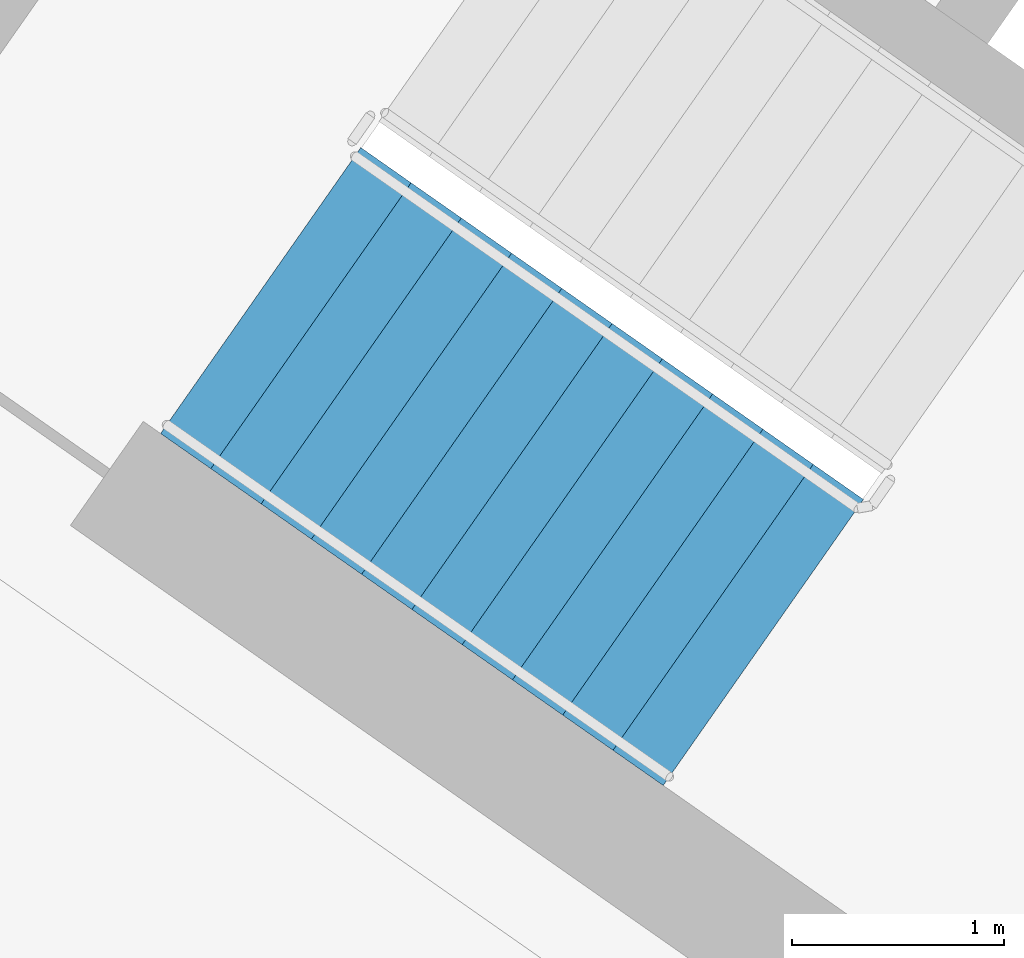
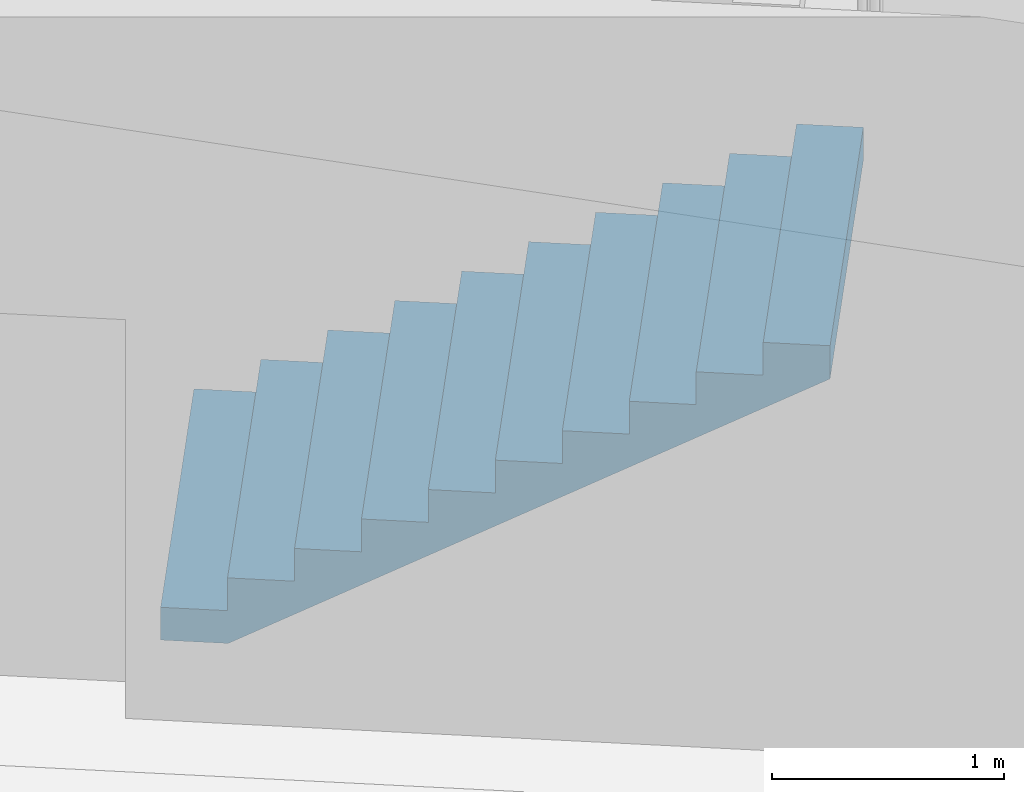
# One storey, part 11 of 27: 1 stair flight, 1 element without a shape of its own.
"""IFC4 building model written with IfcOpenShell, lengths in metres."""

from ifc_helpers import new_model, si_unit, direction, frame, origin, place, context, subcontext, project, spatial, faceted_brep, material, type_object, element, aggregate, save


model = new_model("IFC4")

# Units and contexts
model_context = context("Model", 3, precision=1e-05, world=origin(), true_north=direction((0.0, 1.0)))
body_context = subcontext(model_context, "Body", "Model", "MODEL_VIEW")
ifc_project = project(units=[si_unit("LENGTHUNIT", "METRE"), si_unit("AREAUNIT", "SQUARE_METRE"), si_unit("VOLUMEUNIT", "CUBIC_METRE"), si_unit("PLANEANGLEUNIT", "RADIAN"), si_unit("MASSUNIT", "GRAM", prefix="KILO")], contexts=[model_context])

# Site, building, storey
site_placement = place(None, origin())
site = spatial("IfcSite", under=ifc_project, at=site_placement, CompositionType="ELEMENT")
building_placement = place(site_placement, origin())
building = spatial("IfcBuilding", under=site, at=building_placement, Name="Qamariyya Broadcast Tower", CompositionType="ELEMENT")
storey_placement = place(building_placement, frame((0.0, 0.0, 187.300048828125)))
storey = spatial("IfcBuildingStorey", under=building, at=storey_placement, Name="L44", CompositionType="ELEMENT", Elevation=187.300048828125)

# Stair, stair flight
ifc_material = material(Name="Concrete C50/60", Category="concrete")
stair_type = type_object("IfcStairType", Name="Exit stair 22 risers of 173 mm", PredefinedType="HALF_TURN_STAIR", material=ifc_material)
stair_placement = place(storey_placement, origin())
stair = element("IfcStair", 1, at=stair_placement, inside=storey, type_object=stair_type, Name="L44 Stair W1", PredefinedType="HALF_TURN_STAIR")
stair_flight_type = type_object("IfcStairFlightType", Name="Exit stair flight 11 risers of 173 mm", PredefinedType="STRAIGHT", material=ifc_material)
stair_flight_placement = place(storey_placement, frame((-47.06884765625, -56.982666015625, 0.0), z_axis=(0.0, 0.0, 1.0), x_axis=(0.819152044289, -0.573576436351, 0.0)))
stair_flight = element("IfcStairFlight", 2, at=stair_flight_placement, type_object=stair_flight_type, Name="ST-W1 flight 1", NumberOfRisers=11, NumberOfTreads=10, PredefinedType="STRAIGHT", RiserHeight=0.172727273, TreadLength=0.29, context=body_context, shape_type="Brep", body=[
    faceted_brep([(0.0, 0.824951171875, 0.0), (0.0, 0.824951171875, 0.172607421875), (0.2900390625, 0.824951171875, 0.172607421875), (0.2900390625, 0.824951171875, 0.345458984375), (0.580078125, 0.824951171875, 0.345458984375), (0.580078125, 0.824951171875, 0.51806640625), (0.8701171875, 0.824951171875, 0.51806640625), (0.8701171875, 0.824951171875, 0.69091796875), (1.159912109375, 0.824951171875, 0.69091796875), (1.159912109375, 0.824951171875, 0.863525390625), (1.449951171875, 0.824951171875, 0.863525390625), (1.449951171875, 0.824951171875, 1.036376953125), (1.739990234375, 0.824951171875, 1.036376953125), (1.739990234375, 0.824951171875, 1.208984375), (2.030029296875, 0.824951171875, 1.208984375), (2.030029296875, 0.824951171875, 1.3818359375), (2.320068359375, 0.824951171875, 1.3818359375), (2.320068359375, 0.824951171875, 1.554443359375), (2.610107421875, 0.824951171875, 1.554443359375), (2.610107421875, 0.824951171875, 1.727294921875), (2.89990234375, 0.824951171875, 1.727294921875), (2.89990234375, 0.824951171875, 1.552734375), (0.29296875, 0.824951171875, 0.0), (0.29296875, -0.824951171875, 0.0), (2.89990234375, -0.824951171875, 1.552734375), (2.89990234375, -0.824951171875, 1.727294921875), (2.610107421875, -0.824951171875, 1.727294921875), (2.610107421875, -0.824951171875, 1.554443359375), (2.320068359375, -0.824951171875, 1.554443359375), (2.320068359375, -0.824951171875, 1.3818359375), (2.030029296875, -0.824951171875, 1.3818359375), (2.030029296875, -0.824951171875, 1.208984375), (1.739990234375, -0.824951171875, 1.208984375), (1.739990234375, -0.824951171875, 1.036376953125), (1.449951171875, -0.824951171875, 1.036376953125), (1.449951171875, -0.824951171875, 0.863525390625), (1.159912109375, -0.824951171875, 0.863525390625), (1.159912109375, -0.824951171875, 0.69091796875), (0.8701171875, -0.824951171875, 0.69091796875), (0.8701171875, -0.824951171875, 0.51806640625), (0.580078125, -0.824951171875, 0.51806640625), (0.580078125, -0.824951171875, 0.345458984375), (0.2900390625, -0.824951171875, 0.345458984375), (0.2900390625, -0.824951171875, 0.172607421875), (0.0, -0.824951171875, 0.172607421875), (0.0, -0.824951171875, 0.0), (0.0, 0.10009765625, 0.0), (0.0, 0.086669921875, 0.0), (0.0, 0.0732421875, 0.0), (0.0, 0.06005859375, 0.0), (0.0, 0.046630859375, 0.0), (0.0, 0.033447265625, 0.0), (0.0, 0.02001953125, 0.0), (0.0, 0.006591796875, 0.0), (0.0, -0.006591796875, 0.0), (0.0, -0.02001953125, 0.0), (0.0, -0.033447265625, 0.0), (0.0, -0.046630859375, 0.0), (0.0, -0.06005859375, 0.0), (0.0, -0.0732421875, 0.0), (0.0, -0.086669921875, 0.0), (0.0, -0.10009765625, 0.0), (0.0, -0.10009765625, 0.172607421875), (0.0, -0.086669921875, 0.172607421875), (0.0, -0.0732421875, 0.172607421875), (0.0, -0.06005859375, 0.172607421875), (0.0, -0.046630859375, 0.172607421875), (0.0, -0.033447265625, 0.172607421875), (0.0, -0.02001953125, 0.172607421875), (0.0, -0.006591796875, 0.172607421875), (0.0, 0.006591796875, 0.172607421875), (0.0, 0.02001953125, 0.172607421875), (0.0, 0.033447265625, 0.172607421875), (0.0, 0.046630859375, 0.172607421875), (0.0, 0.06005859375, 0.172607421875), (0.0, 0.0732421875, 0.172607421875), (0.0, 0.086669921875, 0.172607421875), (0.0, 0.10009765625, 0.172607421875), (0.2900390625, -0.10009765625, 0.172607421875), (0.2900390625, -0.086669921875, 0.172607421875), (0.2900390625, -0.0732421875, 0.172607421875), (0.2900390625, -0.06005859375, 0.172607421875), (0.2900390625, -0.046630859375, 0.172607421875), (0.2900390625, -0.033447265625, 0.172607421875), (0.2900390625, -0.02001953125, 0.172607421875), (0.2900390625, -0.006591796875, 0.172607421875), (0.2900390625, 0.006591796875, 0.172607421875), (0.2900390625, 0.02001953125, 0.172607421875), (0.2900390625, 0.033447265625, 0.172607421875), (0.2900390625, 0.046630859375, 0.172607421875), (0.2900390625, 0.06005859375, 0.172607421875), (0.2900390625, 0.0732421875, 0.172607421875), (0.2900390625, 0.086669921875, 0.172607421875), (0.2900390625, 0.10009765625, 0.172607421875), (0.2900390625, -0.10009765625, 0.345458984375), (0.2900390625, -0.086669921875, 0.345458984375), (0.2900390625, -0.0732421875, 0.345458984375), (0.2900390625, -0.06005859375, 0.345458984375), (0.2900390625, -0.046630859375, 0.345458984375), (0.2900390625, -0.033447265625, 0.345458984375), (0.2900390625, -0.02001953125, 0.345458984375), (0.2900390625, -0.006591796875, 0.345458984375), (0.2900390625, 0.006591796875, 0.345458984375), (0.2900390625, 0.02001953125, 0.345458984375), (0.2900390625, 0.033447265625, 0.345458984375), (0.2900390625, 0.046630859375, 0.345458984375), (0.2900390625, 0.06005859375, 0.345458984375), (0.2900390625, 0.0732421875, 0.345458984375), (0.2900390625, 0.086669921875, 0.345458984375), (0.2900390625, 0.10009765625, 0.345458984375), (0.580078125, -0.10009765625, 0.345458984375), (0.580078125, -0.086669921875, 0.345458984375), (0.580078125, -0.0732421875, 0.345458984375), (0.580078125, -0.06005859375, 0.345458984375), (0.580078125, -0.046630859375, 0.345458984375), (0.580078125, -0.033447265625, 0.345458984375), (0.580078125, -0.02001953125, 0.345458984375), (0.580078125, -0.006591796875, 0.345458984375), (0.580078125, 0.006591796875, 0.345458984375), (0.580078125, 0.02001953125, 0.345458984375), (0.580078125, 0.033447265625, 0.345458984375), (0.580078125, 0.046630859375, 0.345458984375), (0.580078125, 0.06005859375, 0.345458984375), (0.580078125, 0.0732421875, 0.345458984375), (0.580078125, 0.086669921875, 0.345458984375), (0.580078125, 0.10009765625, 0.345458984375), (0.580078125, -0.10009765625, 0.51806640625), (0.580078125, -0.086669921875, 0.51806640625), (0.580078125, -0.0732421875, 0.51806640625), (0.580078125, -0.06005859375, 0.51806640625), (0.580078125, -0.046630859375, 0.51806640625), (0.580078125, -0.033447265625, 0.51806640625), (0.580078125, -0.02001953125, 0.51806640625), (0.580078125, -0.006591796875, 0.51806640625), (0.580078125, 0.006591796875, 0.51806640625), (0.580078125, 0.02001953125, 0.51806640625), (0.580078125, 0.033447265625, 0.51806640625), (0.580078125, 0.046630859375, 0.51806640625), (0.580078125, 0.06005859375, 0.51806640625), (0.580078125, 0.0732421875, 0.51806640625), (0.580078125, 0.086669921875, 0.51806640625), (0.580078125, 0.10009765625, 0.51806640625), (0.8701171875, -0.10009765625, 0.51806640625), (0.8701171875, -0.086669921875, 0.51806640625), (0.8701171875, -0.0732421875, 0.51806640625), (0.8701171875, -0.06005859375, 0.51806640625), (0.8701171875, -0.046630859375, 0.51806640625), (0.8701171875, -0.033447265625, 0.51806640625), (0.8701171875, -0.02001953125, 0.51806640625), (0.8701171875, -0.006591796875, 0.51806640625), (0.8701171875, 0.006591796875, 0.51806640625), (0.8701171875, 0.02001953125, 0.51806640625), (0.8701171875, 0.033447265625, 0.51806640625), (0.8701171875, 0.046630859375, 0.51806640625), (0.8701171875, 0.06005859375, 0.51806640625), (0.8701171875, 0.0732421875, 0.51806640625), (0.8701171875, 0.086669921875, 0.51806640625), (0.8701171875, 0.10009765625, 0.51806640625), (0.8701171875, -0.10009765625, 0.69091796875), (0.8701171875, -0.086669921875, 0.69091796875), (0.8701171875, -0.0732421875, 0.69091796875), (0.8701171875, -0.06005859375, 0.69091796875), (0.8701171875, -0.046630859375, 0.69091796875), (0.8701171875, -0.033447265625, 0.69091796875), (0.8701171875, -0.02001953125, 0.69091796875), (0.8701171875, -0.006591796875, 0.69091796875), (0.8701171875, 0.006591796875, 0.69091796875), (0.8701171875, 0.02001953125, 0.69091796875), (0.8701171875, 0.033447265625, 0.69091796875), (0.8701171875, 0.046630859375, 0.69091796875), (0.8701171875, 0.06005859375, 0.69091796875), (0.8701171875, 0.0732421875, 0.69091796875), (0.8701171875, 0.086669921875, 0.69091796875), (0.8701171875, 0.10009765625, 0.69091796875), (1.159912109375, -0.10009765625, 0.69091796875), (1.159912109375, -0.086669921875, 0.69091796875), (1.159912109375, -0.0732421875, 0.69091796875), (1.159912109375, -0.06005859375, 0.69091796875), (1.159912109375, -0.046630859375, 0.69091796875), (1.159912109375, -0.033447265625, 0.69091796875), (1.159912109375, -0.02001953125, 0.69091796875), (1.159912109375, -0.006591796875, 0.69091796875), (1.159912109375, 0.006591796875, 0.69091796875), (1.159912109375, 0.02001953125, 0.69091796875), (1.159912109375, 0.033447265625, 0.69091796875), (1.159912109375, 0.046630859375, 0.69091796875), (1.159912109375, 0.06005859375, 0.69091796875), (1.159912109375, 0.0732421875, 0.69091796875), (1.159912109375, 0.086669921875, 0.69091796875), (1.159912109375, 0.10009765625, 0.69091796875), (1.159912109375, -0.10009765625, 0.863525390625), (1.159912109375, -0.086669921875, 0.863525390625), (1.159912109375, -0.0732421875, 0.863525390625), (1.159912109375, -0.06005859375, 0.863525390625), (1.159912109375, -0.046630859375, 0.863525390625), (1.159912109375, -0.033447265625, 0.863525390625), (1.159912109375, -0.02001953125, 0.863525390625), (1.159912109375, -0.006591796875, 0.863525390625), (1.159912109375, 0.006591796875, 0.863525390625), (1.159912109375, 0.02001953125, 0.863525390625), (1.159912109375, 0.033447265625, 0.863525390625), (1.159912109375, 0.046630859375, 0.863525390625), (1.159912109375, 0.06005859375, 0.863525390625), (1.159912109375, 0.0732421875, 0.863525390625), (1.159912109375, 0.086669921875, 0.863525390625), (1.159912109375, 0.10009765625, 0.863525390625), (1.449951171875, -0.10009765625, 0.863525390625), (1.449951171875, -0.086669921875, 0.863525390625), (1.449951171875, -0.0732421875, 0.863525390625), (1.449951171875, -0.06005859375, 0.863525390625), (1.449951171875, -0.046630859375, 0.863525390625), (1.449951171875, -0.033447265625, 0.863525390625), (1.449951171875, -0.02001953125, 0.863525390625), (1.449951171875, -0.006591796875, 0.863525390625), (1.449951171875, 0.006591796875, 0.863525390625), (1.449951171875, 0.02001953125, 0.863525390625), (1.449951171875, 0.033447265625, 0.863525390625), (1.449951171875, 0.046630859375, 0.863525390625), (1.449951171875, 0.06005859375, 0.863525390625), (1.449951171875, 0.0732421875, 0.863525390625), (1.449951171875, 0.086669921875, 0.863525390625), (1.449951171875, 0.10009765625, 0.863525390625), (1.449951171875, -0.10009765625, 1.036376953125), (1.449951171875, -0.086669921875, 1.036376953125), (1.449951171875, -0.0732421875, 1.036376953125), (1.449951171875, -0.06005859375, 1.036376953125), (1.449951171875, -0.046630859375, 1.036376953125), (1.449951171875, -0.033447265625, 1.036376953125), (1.449951171875, -0.02001953125, 1.036376953125), (1.449951171875, -0.006591796875, 1.036376953125), (1.449951171875, 0.006591796875, 1.036376953125), (1.449951171875, 0.02001953125, 1.036376953125), (1.449951171875, 0.033447265625, 1.036376953125), (1.449951171875, 0.046630859375, 1.036376953125), (1.449951171875, 0.06005859375, 1.036376953125), (1.449951171875, 0.0732421875, 1.036376953125), (1.449951171875, 0.086669921875, 1.036376953125), (1.449951171875, 0.10009765625, 1.036376953125), (1.739990234375, -0.10009765625, 1.036376953125), (1.739990234375, -0.086669921875, 1.036376953125), (1.739990234375, -0.0732421875, 1.036376953125), (1.739990234375, -0.06005859375, 1.036376953125), (1.739990234375, -0.046630859375, 1.036376953125), (1.739990234375, -0.033447265625, 1.036376953125), (1.739990234375, -0.02001953125, 1.036376953125), (1.739990234375, -0.006591796875, 1.036376953125), (1.739990234375, 0.006591796875, 1.036376953125), (1.739990234375, 0.02001953125, 1.036376953125), (1.739990234375, 0.033447265625, 1.036376953125), (1.739990234375, 0.046630859375, 1.036376953125), (1.739990234375, 0.06005859375, 1.036376953125), (1.739990234375, 0.0732421875, 1.036376953125), (1.739990234375, 0.086669921875, 1.036376953125), (1.739990234375, 0.10009765625, 1.036376953125), (1.739990234375, -0.10009765625, 1.208984375), (1.739990234375, -0.086669921875, 1.208984375), (1.739990234375, -0.0732421875, 1.208984375), (1.739990234375, -0.06005859375, 1.208984375), (1.739990234375, -0.046630859375, 1.208984375), (1.739990234375, -0.033447265625, 1.208984375), (1.739990234375, -0.02001953125, 1.208984375), (1.739990234375, -0.006591796875, 1.208984375), (1.739990234375, 0.006591796875, 1.208984375), (1.739990234375, 0.02001953125, 1.208984375), (1.739990234375, 0.033447265625, 1.208984375), (1.739990234375, 0.046630859375, 1.208984375), (1.739990234375, 0.06005859375, 1.208984375), (1.739990234375, 0.0732421875, 1.208984375), (1.739990234375, 0.086669921875, 1.208984375), (1.739990234375, 0.10009765625, 1.208984375), (2.030029296875, -0.10009765625, 1.208984375), (2.030029296875, -0.086669921875, 1.208984375), (2.030029296875, -0.0732421875, 1.208984375), (2.030029296875, -0.06005859375, 1.208984375), (2.030029296875, -0.046630859375, 1.208984375), (2.030029296875, -0.033447265625, 1.208984375), (2.030029296875, -0.02001953125, 1.208984375), (2.030029296875, -0.006591796875, 1.208984375), (2.030029296875, 0.006591796875, 1.208984375), (2.030029296875, 0.02001953125, 1.208984375), (2.030029296875, 0.033447265625, 1.208984375), (2.030029296875, 0.046630859375, 1.208984375), (2.030029296875, 0.06005859375, 1.208984375), (2.030029296875, 0.0732421875, 1.208984375), (2.030029296875, 0.086669921875, 1.208984375), (2.030029296875, 0.10009765625, 1.208984375), (2.030029296875, -0.10009765625, 1.3818359375), (2.030029296875, -0.086669921875, 1.3818359375), (2.030029296875, -0.0732421875, 1.3818359375), (2.030029296875, -0.06005859375, 1.3818359375), (2.030029296875, -0.046630859375, 1.3818359375), (2.030029296875, -0.033447265625, 1.3818359375), (2.030029296875, -0.02001953125, 1.3818359375), (2.030029296875, -0.006591796875, 1.3818359375), (2.030029296875, 0.006591796875, 1.3818359375), (2.030029296875, 0.02001953125, 1.3818359375), (2.030029296875, 0.033447265625, 1.3818359375), (2.030029296875, 0.046630859375, 1.3818359375), (2.030029296875, 0.06005859375, 1.3818359375), (2.030029296875, 0.0732421875, 1.3818359375), (2.030029296875, 0.086669921875, 1.3818359375), (2.030029296875, 0.10009765625, 1.3818359375), (2.320068359375, -0.10009765625, 1.3818359375), (2.320068359375, -0.086669921875, 1.3818359375), (2.320068359375, -0.0732421875, 1.3818359375), (2.320068359375, -0.06005859375, 1.3818359375), (2.320068359375, -0.046630859375, 1.3818359375), (2.320068359375, -0.033447265625, 1.3818359375), (2.320068359375, -0.02001953125, 1.3818359375), (2.320068359375, -0.006591796875, 1.3818359375), (2.320068359375, 0.006591796875, 1.3818359375), (2.320068359375, 0.02001953125, 1.3818359375), (2.320068359375, 0.033447265625, 1.3818359375), (2.320068359375, 0.046630859375, 1.3818359375), (2.320068359375, 0.06005859375, 1.3818359375), (2.320068359375, 0.0732421875, 1.3818359375), (2.320068359375, 0.086669921875, 1.3818359375), (2.320068359375, 0.10009765625, 1.3818359375), (2.320068359375, -0.10009765625, 1.554443359375), (2.320068359375, -0.086669921875, 1.554443359375), (2.320068359375, -0.0732421875, 1.554443359375), (2.320068359375, -0.06005859375, 1.554443359375), (2.320068359375, -0.046630859375, 1.554443359375), (2.320068359375, -0.033447265625, 1.554443359375), (2.320068359375, -0.02001953125, 1.554443359375), (2.320068359375, -0.006591796875, 1.554443359375), (2.320068359375, 0.006591796875, 1.554443359375), (2.320068359375, 0.02001953125, 1.554443359375), (2.320068359375, 0.033447265625, 1.554443359375), (2.320068359375, 0.046630859375, 1.554443359375), (2.320068359375, 0.06005859375, 1.554443359375), (2.320068359375, 0.0732421875, 1.554443359375), (2.320068359375, 0.086669921875, 1.554443359375), (2.320068359375, 0.10009765625, 1.554443359375), (2.610107421875, -0.10009765625, 1.554443359375), (2.610107421875, -0.086669921875, 1.554443359375), (2.610107421875, -0.0732421875, 1.554443359375), (2.610107421875, -0.06005859375, 1.554443359375), (2.610107421875, -0.046630859375, 1.554443359375), (2.610107421875, -0.033447265625, 1.554443359375), (2.610107421875, -0.02001953125, 1.554443359375), (2.610107421875, -0.006591796875, 1.554443359375), (2.610107421875, 0.006591796875, 1.554443359375), (2.610107421875, 0.02001953125, 1.554443359375), (2.610107421875, 0.033447265625, 1.554443359375), (2.610107421875, 0.046630859375, 1.554443359375), (2.610107421875, 0.06005859375, 1.554443359375), (2.610107421875, 0.0732421875, 1.554443359375), (2.610107421875, 0.086669921875, 1.554443359375), (2.610107421875, 0.10009765625, 1.554443359375), (2.610107421875, -0.10009765625, 1.727294921875), (2.610107421875, -0.086669921875, 1.727294921875), (2.610107421875, -0.0732421875, 1.727294921875), (2.610107421875, -0.06005859375, 1.727294921875), (2.610107421875, -0.046630859375, 1.727294921875), (2.610107421875, -0.033447265625, 1.727294921875), (2.610107421875, -0.02001953125, 1.727294921875), (2.610107421875, -0.006591796875, 1.727294921875), (2.610107421875, 0.006591796875, 1.727294921875), (2.610107421875, 0.02001953125, 1.727294921875), (2.610107421875, 0.033447265625, 1.727294921875), (2.610107421875, 0.046630859375, 1.727294921875), (2.610107421875, 0.06005859375, 1.727294921875), (2.610107421875, 0.0732421875, 1.727294921875), (2.610107421875, 0.086669921875, 1.727294921875), (2.610107421875, 0.10009765625, 1.727294921875), (2.89990234375, -0.10009765625, 1.727294921875), (2.89990234375, -0.086669921875, 1.727294921875), (2.89990234375, -0.0732421875, 1.727294921875), (2.89990234375, -0.06005859375, 1.727294921875), (2.89990234375, -0.046630859375, 1.727294921875), (2.89990234375, -0.033447265625, 1.727294921875), (2.89990234375, -0.02001953125, 1.727294921875), (2.89990234375, -0.006591796875, 1.727294921875), (2.89990234375, 0.006591796875, 1.727294921875), (2.89990234375, 0.02001953125, 1.727294921875), (2.89990234375, 0.033447265625, 1.727294921875), (2.89990234375, 0.046630859375, 1.727294921875), (2.89990234375, 0.06005859375, 1.727294921875), (2.89990234375, 0.0732421875, 1.727294921875), (2.89990234375, 0.086669921875, 1.727294921875), (2.89990234375, 0.10009765625, 1.727294921875), (2.89990234375, -0.10009765625, 1.552734375), (2.89990234375, -0.086669921875, 1.552734375), (2.89990234375, -0.0732421875, 1.552734375), (2.89990234375, -0.06005859375, 1.552734375), (2.89990234375, -0.046630859375, 1.552734375), (2.89990234375, -0.033447265625, 1.552734375), (2.89990234375, -0.02001953125, 1.552734375), (2.89990234375, -0.006591796875, 1.552734375), (2.89990234375, 0.006591796875, 1.552734375), (2.89990234375, 0.02001953125, 1.552734375), (2.89990234375, 0.033447265625, 1.552734375), (2.89990234375, 0.046630859375, 1.552734375), (2.89990234375, 0.06005859375, 1.552734375), (2.89990234375, 0.0732421875, 1.552734375), (2.89990234375, 0.086669921875, 1.552734375), (2.89990234375, 0.10009765625, 1.552734375), (0.29296875, -0.10009765625, 0.0), (0.29296875, -0.086669921875, 0.0), (0.29296875, -0.0732421875, 0.0), (0.29296875, -0.06005859375, 0.0), (0.29296875, -0.046630859375, 0.0), (0.29296875, -0.033447265625, 0.0), (0.29296875, -0.02001953125, 0.0), (0.29296875, -0.006591796875, 0.0), (0.29296875, 0.006591796875, 0.0), (0.29296875, 0.02001953125, 0.0), (0.29296875, 0.033447265625, 0.0), (0.29296875, 0.046630859375, 0.0), (0.29296875, 0.06005859375, 0.0), (0.29296875, 0.0732421875, 0.0), (0.29296875, 0.086669921875, 0.0), (0.29296875, 0.10009765625, 0.0)], [[[0, 1, 2, 3, 4, 5, 6, 7, 8, 9, 10, 11, 12, 13, 14, 15, 16, 17, 18, 19, 20, 21, 22]], [[23, 24, 25, 26, 27, 28, 29, 30, 31, 32, 33, 34, 35, 36, 37, 38, 39, 40, 41, 42, 43, 44, 45]], [[0, 46, 47, 48, 49, 50, 51, 52, 53, 54, 55, 56, 57, 58, 59, 60, 61, 45, 44, 62, 63, 64, 65, 66, 67, 68, 69, 70, 71, 72, 73, 74, 75, 76, 77, 1]], [[1, 77, 76, 75, 74, 73, 72, 71, 70, 69, 68, 67, 66, 65, 64, 63, 62, 44, 43, 78, 79, 80, 81, 82, 83, 84, 85, 86, 87, 88, 89, 90, 91, 92, 93, 2]], [[2, 93, 92, 91, 90, 89, 88, 87, 86, 85, 84, 83, 82, 81, 80, 79, 78, 43, 42, 94, 95, 96, 97, 98, 99, 100, 101, 102, 103, 104, 105, 106, 107, 108, 109, 3]], [[3, 109, 108, 107, 106, 105, 104, 103, 102, 101, 100, 99, 98, 97, 96, 95, 94, 42, 41, 110, 111, 112, 113, 114, 115, 116, 117, 118, 119, 120, 121, 122, 123, 124, 125, 4]], [[4, 125, 124, 123, 122, 121, 120, 119, 118, 117, 116, 115, 114, 113, 112, 111, 110, 41, 40, 126, 127, 128, 129, 130, 131, 132, 133, 134, 135, 136, 137, 138, 139, 140, 141, 5]], [[5, 141, 140, 139, 138, 137, 136, 135, 134, 133, 132, 131, 130, 129, 128, 127, 126, 40, 39, 142, 143, 144, 145, 146, 147, 148, 149, 150, 151, 152, 153, 154, 155, 156, 157, 6]], [[6, 157, 156, 155, 154, 153, 152, 151, 150, 149, 148, 147, 146, 145, 144, 143, 142, 39, 38, 158, 159, 160, 161, 162, 163, 164, 165, 166, 167, 168, 169, 170, 171, 172, 173, 7]], [[7, 173, 172, 171, 170, 169, 168, 167, 166, 165, 164, 163, 162, 161, 160, 159, 158, 38, 37, 174, 175, 176, 177, 178, 179, 180, 181, 182, 183, 184, 185, 186, 187, 188, 189, 8]], [[8, 189, 188, 187, 186, 185, 184, 183, 182, 181, 180, 179, 178, 177, 176, 175, 174, 37, 36, 190, 191, 192, 193, 194, 195, 196, 197, 198, 199, 200, 201, 202, 203, 204, 205, 9]], [[9, 205, 204, 203, 202, 201, 200, 199, 198, 197, 196, 195, 194, 193, 192, 191, 190, 36, 35, 206, 207, 208, 209, 210, 211, 212, 213, 214, 215, 216, 217, 218, 219, 220, 221, 10]], [[10, 221, 220, 219, 218, 217, 216, 215, 214, 213, 212, 211, 210, 209, 208, 207, 206, 35, 34, 222, 223, 224, 225, 226, 227, 228, 229, 230, 231, 232, 233, 234, 235, 236, 237, 11]], [[11, 237, 236, 235, 234, 233, 232, 231, 230, 229, 228, 227, 226, 225, 224, 223, 222, 34, 33, 238, 239, 240, 241, 242, 243, 244, 245, 246, 247, 248, 249, 250, 251, 252, 253, 12]], [[12, 253, 252, 251, 250, 249, 248, 247, 246, 245, 244, 243, 242, 241, 240, 239, 238, 33, 32, 254, 255, 256, 257, 258, 259, 260, 261, 262, 263, 264, 265, 266, 267, 268, 269, 13]], [[13, 269, 268, 267, 266, 265, 264, 263, 262, 261, 260, 259, 258, 257, 256, 255, 254, 32, 31, 270, 271, 272, 273, 274, 275, 276, 277, 278, 279, 280, 281, 282, 283, 284, 285, 14]], [[14, 285, 284, 283, 282, 281, 280, 279, 278, 277, 276, 275, 274, 273, 272, 271, 270, 31, 30, 286, 287, 288, 289, 290, 291, 292, 293, 294, 295, 296, 297, 298, 299, 300, 301, 15]], [[15, 301, 300, 299, 298, 297, 296, 295, 294, 293, 292, 291, 290, 289, 288, 287, 286, 30, 29, 302, 303, 304, 305, 306, 307, 308, 309, 310, 311, 312, 313, 314, 315, 316, 317, 16]], [[16, 317, 316, 315, 314, 313, 312, 311, 310, 309, 308, 307, 306, 305, 304, 303, 302, 29, 28, 318, 319, 320, 321, 322, 323, 324, 325, 326, 327, 328, 329, 330, 331, 332, 333, 17]], [[17, 333, 332, 331, 330, 329, 328, 327, 326, 325, 324, 323, 322, 321, 320, 319, 318, 28, 27, 334, 335, 336, 337, 338, 339, 340, 341, 342, 343, 344, 345, 346, 347, 348, 349, 18]], [[18, 349, 348, 347, 346, 345, 344, 343, 342, 341, 340, 339, 338, 337, 336, 335, 334, 27, 26, 350, 351, 352, 353, 354, 355, 356, 357, 358, 359, 360, 361, 362, 363, 364, 365, 19]], [[19, 365, 364, 363, 362, 361, 360, 359, 358, 357, 356, 355, 354, 353, 352, 351, 350, 26, 25, 366, 367, 368, 369, 370, 371, 372, 373, 374, 375, 376, 377, 378, 379, 380, 381, 20]], [[20, 381, 380, 379, 378, 377, 376, 375, 374, 373, 372, 371, 370, 369, 368, 367, 366, 25, 24, 382, 383, 384, 385, 386, 387, 388, 389, 390, 391, 392, 393, 394, 395, 396, 397, 21]], [[21, 397, 396, 395, 394, 393, 392, 391, 390, 389, 388, 387, 386, 385, 384, 383, 382, 24, 23, 398, 399, 400, 401, 402, 403, 404, 405, 406, 407, 408, 409, 410, 411, 412, 413, 22]], [[22, 413, 412, 411, 410, 409, 408, 407, 406, 405, 404, 403, 402, 401, 400, 399, 398, 23, 45, 61, 60, 59, 58, 57, 56, 55, 54, 53, 52, 51, 50, 49, 48, 47, 46, 0]]]),
])
aggregate(stair, [stair_flight])

save(model, "model.ifc")
